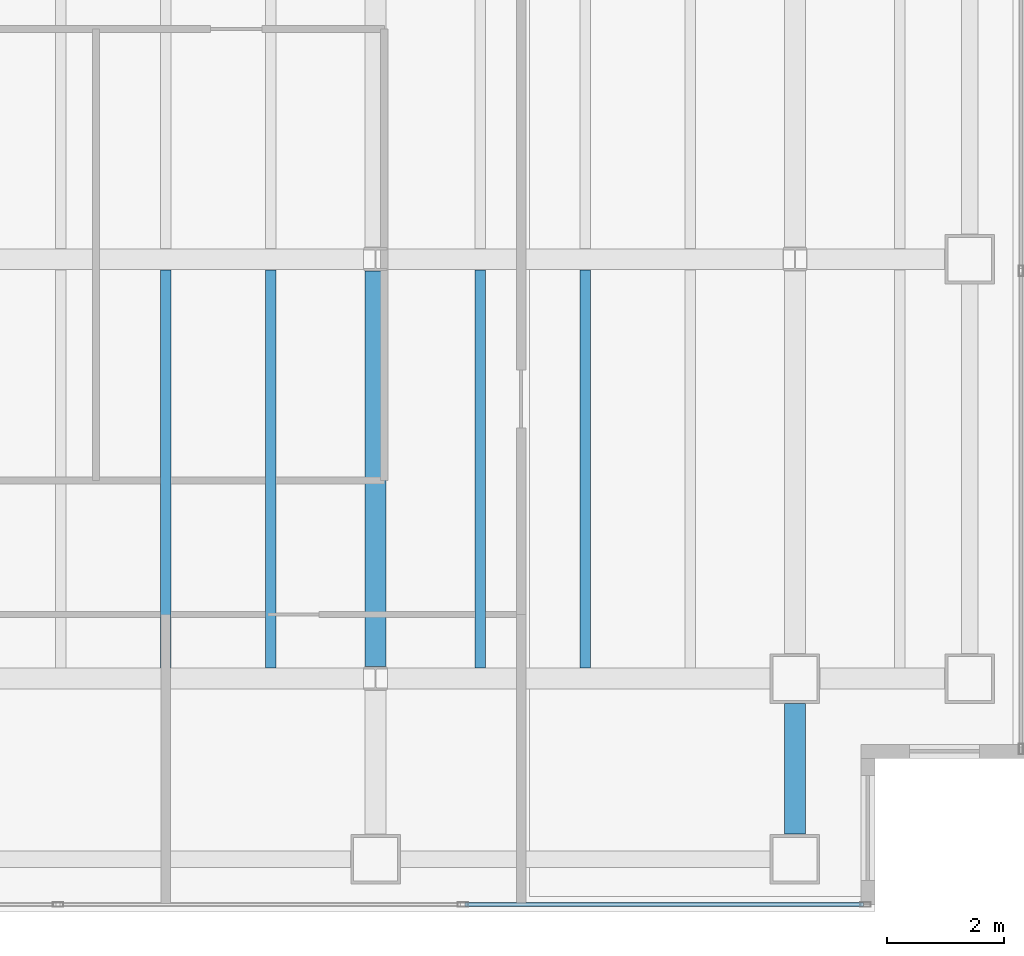
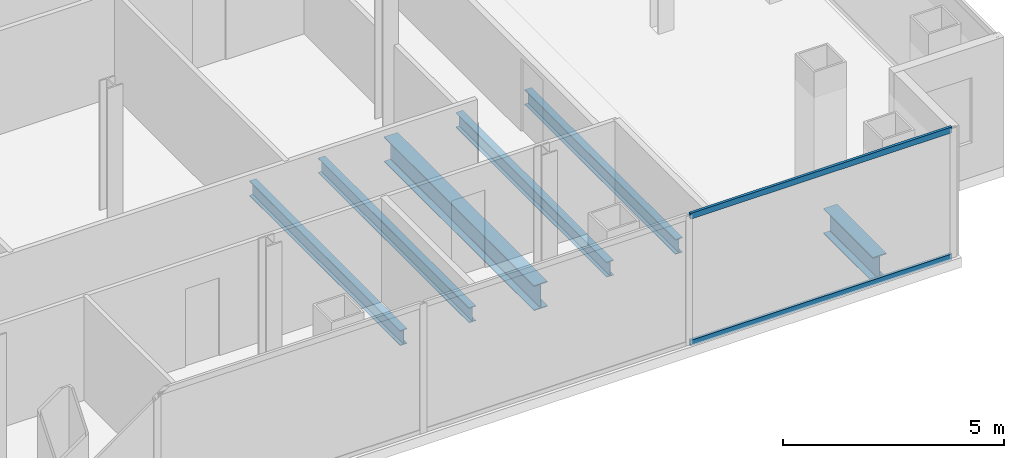
# One storey, part 10 of 24: 6 beams, 2 members, 1 element without a shape of its own.
"""IFC4 building model written with IfcOpenShell, lengths in metres."""

from ifc_helpers import new_model, si_unit, direction, frame, origin, origin_2d, place, context, subcontext, project, spatial, hollow_rectangle, i_section, extrude, material, material_profile, profile_set, type_object, element, aggregate, save


model = new_model("IFC4")

# Units and contexts
model_context = context("Model", 3, precision=1e-05, world=origin(), true_north=direction((0.0, 1.0)))
body_context = subcontext(model_context, "Body", "Model", "MODEL_VIEW")
ifc_project = project(units=[si_unit("LENGTHUNIT", "METRE"), si_unit("AREAUNIT", "SQUARE_METRE"), si_unit("VOLUMEUNIT", "CUBIC_METRE"), si_unit("PLANEANGLEUNIT", "RADIAN"), si_unit("MASSUNIT", "GRAM", prefix="KILO")], contexts=[model_context])

# Site, building, storey
site_placement = place(None, origin())
site = spatial("IfcSite", under=ifc_project, at=site_placement, CompositionType="ELEMENT")
building_placement = place(site_placement, origin())
building = spatial("IfcBuilding", under=site, at=building_placement, Name="Cobrela Telecom Tower", CompositionType="ELEMENT")
storey_placement = place(building_placement, frame((0.0, 0.0, 152.25)))
storey = spatial("IfcBuildingStorey", under=building, at=storey_placement, Name="L38", CompositionType="ELEMENT", Elevation=152.25)

# Beams
ifc_material_1 = material(Name="Steel ASTM A992 Grade 50", Category="steel")
ifc_material_profile_1 = material_profile(ifc_material_1, i_section(OverallWidth=0.35595703125, OverallDepth=0.696044921875, WebThickness=0.015380859375, FlangeThickness=0.024658203125, FilletRadius=0.01806640625, at=origin_2d()), Name="W27X146")
ifc_profile_set_1 = profile_set([ifc_material_profile_1], Name="Steel ASTM A992 Grade 50")
beam_type_1 = type_object("IfcBeamType", Name="BM-GIRD-05", PredefinedType="USERDEFINED", material=ifc_profile_set_1)
beam_1_placement = place(storey_placement, frame((36.0, 7.404541015625, -0.617919921875), z_axis=(0.0, 1.0, 0.0), x_axis=(-1.0, 0.0, 0.0)))
element("IfcBeam", 1, at=beam_1_placement, inside=storey, type_object=beam_type_1, Name="L38 Primary Girder Y50", ObjectType="GIRDER", PredefinedType="USERDEFINED", context=body_context, shape_type="SweptSolid", body=[
    extrude(i_section(OverallWidth=0.35595703125, OverallDepth=0.696044921875, WebThickness=0.015380859375, FlangeThickness=0.024658203125, FilletRadius=0.01806640625, at=origin_2d()), origin(), (0.0, 0.0, 1.0), 6.791015625),
])
beam_2_placement = place(storey_placement, frame((43.199951171875, 4.530029296875, -0.617919921875), z_axis=(0.0, 1.0, 0.0), x_axis=(-1.0, 0.0, 0.0)))
element("IfcBeam", 2, at=beam_2_placement, inside=storey, type_object=beam_type_1, Name="L38 Primary Girder Y52", ObjectType="GIRDER", PredefinedType="USERDEFINED", context=body_context, shape_type="SweptSolid", body=[
    extrude(i_section(OverallWidth=0.35595703125, OverallDepth=0.696044921875, WebThickness=0.015380859375, FlangeThickness=0.024658203125, FilletRadius=0.01806640625, at=origin_2d()), origin(), (0.0, 0.0, 1.0), 2.239990234375),
])
ifc_material_profile_2 = material_profile(ifc_material_1, i_section(OverallWidth=0.179931640625, OverallDepth=0.4169921875, WebThickness=0.010986328125, FlangeThickness=0.01806640625, FilletRadius=0.011962890625, at=origin_2d()), Name="W16X57")
ifc_profile_set_2 = profile_set([ifc_material_profile_2], Name="Steel ASTM A992 Grade 50")
beam_type_2 = type_object("IfcBeamType", Name="BM-JOIST-04", PredefinedType="JOIST", material=ifc_profile_set_2)
for number, where, z_axis, x_axis, name in (
    (3, (32.39990234375, 7.383056640625, -0.478515625), (0.0, 1.0, 0.0), (-1.0, 0.0, 0.0), "L38 Secondary Composite Floor Beam J29"),
    (4, (34.199951171875, 7.383056640625, -0.478515625), (0.0, 1.0, 0.0), (-1.0, 0.0, 0.0), "L38 Secondary Composite Floor Beam J31"),
    (5, (37.800048828125, 7.383056640625, -0.478515625), (0.0, 1.0, 0.0), (-1.0, 0.0, 0.0), "L38 Secondary Composite Floor Beam J33"),
    (6, (39.60009765625, 7.383056640625, -0.478515625), (0.0, 1.0, 0.0), (-1.0, 0.0, 0.0), "L38 Secondary Composite Floor Beam J35"),
):
    element("IfcBeam", number, at=place(storey_placement, frame(where, z_axis=z_axis, x_axis=x_axis)), inside=storey, type_object=beam_type_2, Name=name, PredefinedType="JOIST", context=body_context, shape_type="SweptSolid", body=[
        extrude(i_section(OverallWidth=0.179931640625, OverallDepth=0.4169921875, WebThickness=0.010986328125, FlangeThickness=0.01806640625, FilletRadius=0.011962890625, at=origin_2d()), origin(), (0.0, 0.0, 1.0), 6.833984375),
    ])

# Curtain wall, members
ifc_material_2 = material(Name="Anodized Bronze Aluminium 6063-T6", Category="aluminium")
curtain_wall_type = type_object("IfcCurtainWallType", Name="CW-SYS-TEL", PredefinedType="USERDEFINED", material=ifc_material_2)
curtain_wall_placement = place(storey_placement, origin())
curtain_wall = element("IfcCurtainWall", 7, at=curtain_wall_placement, inside=storey, type_object=curtain_wall_type, Name="L38 Unitised Bronze Curtain Wall 17", ObjectType="UNITISED CURTAIN WALL", PredefinedType="USERDEFINED")
ifc_material_profile_3 = material_profile(ifc_material_2, hollow_rectangle(XDim=0.070068359375, YDim=0.159912109375, WallThickness=0.00390625, at=origin_2d()), Name="ALU 70x160x4")
ifc_profile_set_3 = profile_set([ifc_material_profile_3], Name="Anodized Bronze Aluminium 6063-T6")
member_type = type_object("IfcMemberType", Name="CW-SYS-TEL-TRN", PredefinedType="USERDEFINED", material=ifc_profile_set_3)
member_1_placement = place(storey_placement, frame((44.375, 3.320068359375, 0.034912109375), z_axis=(-1.0, 0.0, 0.0), x_axis=(0.0, -1.0, 0.0)))
member_1 = element("IfcMember", 8, at=member_1_placement, type_object=member_type, Name="CW-TEL transom 1.1", ObjectType="TRANSOM", PredefinedType="USERDEFINED", context=body_context, shape_type="SweptSolid", body=[
    extrude(hollow_rectangle(XDim=0.070068359375, YDim=0.159912109375, WallThickness=0.00390625, at=origin_2d()), origin(), (0.0, 0.0, 1.0), 6.83740234375),
])
member_2_placement = place(storey_placement, frame((44.375, 3.320068359375, 3.544921875), z_axis=(-1.0, 0.0, 0.0), x_axis=(0.0, -1.0, 0.0)))
member_2 = element("IfcMember", 9, at=member_2_placement, type_object=member_type, Name="CW-TEL transom 1.2", ObjectType="TRANSOM", PredefinedType="USERDEFINED", context=body_context, shape_type="SweptSolid", body=[
    extrude(hollow_rectangle(XDim=0.070068359375, YDim=0.159912109375, WallThickness=0.00390625, at=origin_2d()), origin(), (0.0, 0.0, 1.0), 6.83740234375),
])
aggregate(curtain_wall, [member_1, member_2])

save(model, "model.ifc")
